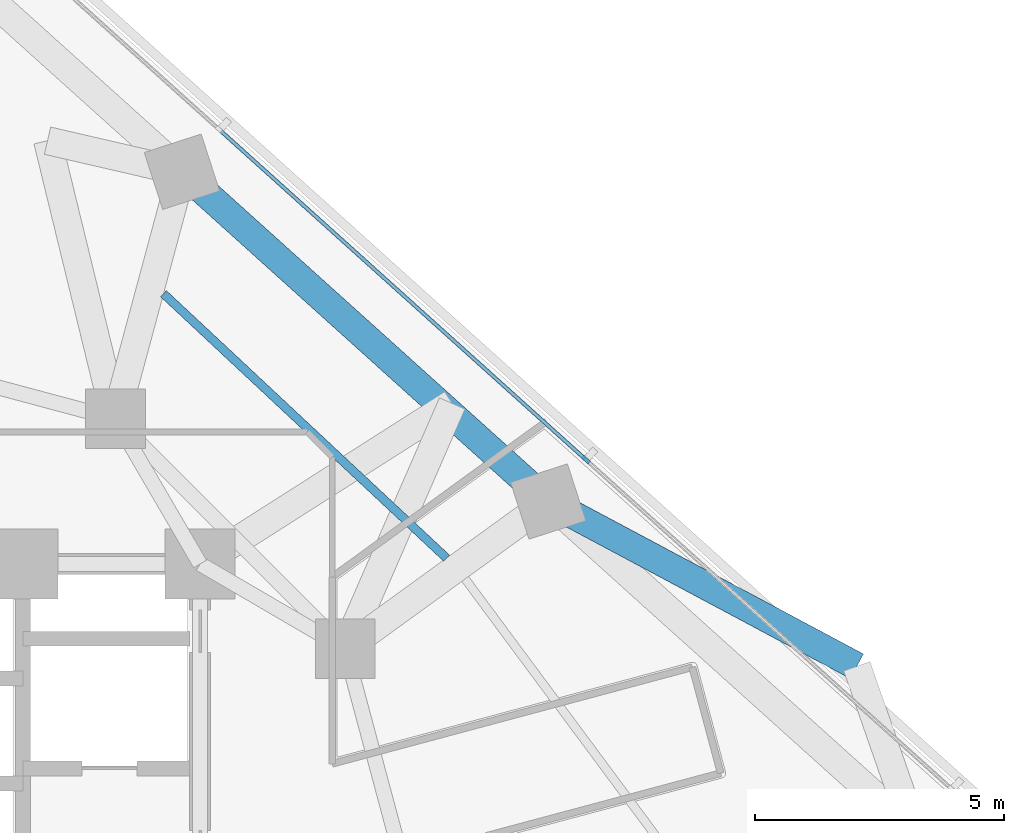
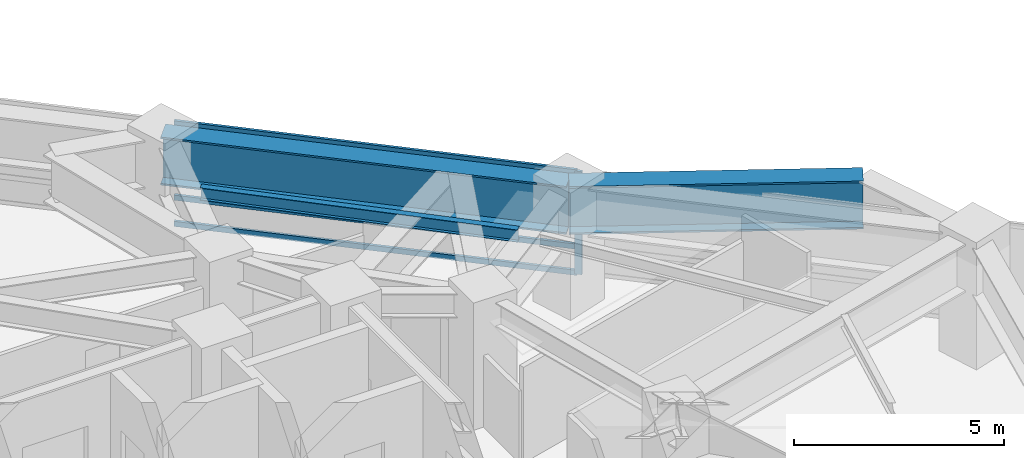
# One storey, part 6 of 14: 4 members, 3 beams, 1 element without a shape of its own.
"""IFC4 building model written with IfcOpenShell, lengths in metres."""

from ifc_helpers import new_model, si_unit, direction, frame, origin, origin_2d, place, context, subcontext, project, spatial, rectangle, i_section, extrude, material, layer, layer_set, material_profile, profile_set, type_object, element, aggregate, save


model = new_model("IFC4")

# Units and contexts
model_context = context("Model", 3, precision=1e-05, world=origin(), true_north=direction((0.0, 1.0)))
body_context = subcontext(model_context, "Body", "Model", "MODEL_VIEW")
ifc_project = project(units=[si_unit("LENGTHUNIT", "METRE"), si_unit("AREAUNIT", "SQUARE_METRE"), si_unit("VOLUMEUNIT", "CUBIC_METRE"), si_unit("PLANEANGLEUNIT", "RADIAN"), si_unit("MASSUNIT", "GRAM", prefix="KILO")], contexts=[model_context])

# Site, building, storey
site_placement = place(None, origin())
site = spatial("IfcSite", under=ifc_project, at=site_placement, CompositionType="ELEMENT")
building_placement = place(site_placement, origin())
building = spatial("IfcBuilding", under=site, at=building_placement, Name="Terralouvre Media Tower", CompositionType="ELEMENT")
storey_placement = place(building_placement, frame((0.0, 0.0, 116.199951171875)))
storey = spatial("IfcBuildingStorey", under=building, at=storey_placement, Name="L29", CompositionType="ELEMENT", Elevation=116.199951171875)

# Beam
ifc_material_1 = material(Name="Structural steel S355J2", Category="steel")
ifc_material_profile_1 = material_profile(ifc_material_1, i_section(OverallWidth=0.169921875, OverallDepth=0.360107421875, WebThickness=0.008056640625, FlangeThickness=0.0126953125, at=origin_2d()), Name="IPE 360")
ifc_profile_set_1 = profile_set([ifc_material_profile_1], Name="Structural steel S355J2")
beam_type_1 = type_object("IfcBeamType", Name="Composite Floor Joist J-IPE360 (IPE 360)", PredefinedType="JOIST", material=ifc_profile_set_1)
beam_1_placement = place(storey_placement, frame((12.944580078125, 8.1171875, 3.320068359375), z_axis=(-0.730742873433, 0.682652805551, 0.0), x_axis=(-0.682652805551, -0.730742873433, 0.0)))
element("IfcBeam", 1, at=beam_1_placement, inside=storey, type_object=beam_type_1, Name="L29 Framing Beam JT-L29-08", PredefinedType="JOIST", context=body_context, shape_type="SweptSolid", body=[
    extrude(i_section(OverallWidth=0.169921875, OverallDepth=0.360107421875, WebThickness=0.008056640625, FlangeThickness=0.0126953125, at=origin_2d()), origin(), (0.0, 0.0, 1.0), 7.7724609375),
])

# Curtain wall, members
ifc_material_2 = material(Name="Low-iron laminated double glazing with solar-control coating", Category="glass")
ifc_layer = layer(ifc_material_2, 0.1650390625, Name="Lower Media Tower Unitised Curtain Wall CW-02")
ifc_layer_set = layer_set([ifc_layer], Name="Low-iron laminated double glazing with solar-control coating")
curtain_wall_type = type_object("IfcCurtainWallType", Name="Lower Media Tower Unitised Curtain Wall CW-02", PredefinedType="NOTDEFINED", material=ifc_layer_set)
curtain_wall_placement = place(storey_placement, origin())
curtain_wall = element("IfcCurtainWall", 2, at=curtain_wall_placement, inside=storey, type_object=curtain_wall_type, Name="L29 Facade Curtain Wall F1", PredefinedType="NOTDEFINED")
ifc_material_3 = material(Name="Anodised extruded aluminium 6063-T6", Category="aluminium")
ifc_material_profile_2 = material_profile(ifc_material_3, rectangle(XDim=0.074951171875, YDim=0.14990234375, at=origin_2d()), Name="ALU 75x150")
ifc_profile_set_2 = profile_set([ifc_material_profile_2], Name="Anodised extruded aluminium 6063-T6")
member_type_1 = type_object("IfcMemberType", Name="Curtain-Wall Horizontal Transom TR-150", PredefinedType="USERDEFINED", material=ifc_profile_set_2)
member_1_placement = place(storey_placement, frame((15.712158203125, 10.117431640625, 0.03759765625), z_axis=(-0.743145676677, 0.669129661005, 0.0), x_axis=(-0.669129661005, -0.743145676677, 0.0)))
member_1 = element("IfcMember", 3, at=member_1_placement, type_object=member_type_1, Name="CW-02 transom 3.1", ObjectType="TRANSOM", PredefinedType="USERDEFINED", context=body_context, shape_type="SweptSolid", body=[
    extrude(rectangle(XDim=0.074951171875, YDim=0.14990234375, at=origin_2d()), origin(), (0.0, 0.0, 1.0), 9.81298828125),
])
member_2_placement = place(storey_placement, frame((15.712158203125, 10.117431640625, 0.800048828125), z_axis=(-0.743145676677, 0.669129661005, 0.0), x_axis=(-0.669129661005, -0.743145676677, 0.0)))
member_2 = element("IfcMember", 4, at=member_2_placement, type_object=member_type_1, Name="CW-02 transom 3.2", ObjectType="TRANSOM", PredefinedType="USERDEFINED", context=body_context, shape_type="SweptSolid", body=[
    extrude(rectangle(XDim=0.074951171875, YDim=0.14990234375, at=origin_2d()), origin(), (0.0, 0.0, 1.0), 9.81298828125),
])
member_3_placement = place(storey_placement, frame((15.712158203125, 10.117431640625, 2.962646484375), z_axis=(-0.743145676677, 0.669129661005, 0.0), x_axis=(-0.669129661005, -0.743145676677, 0.0)))
member_3 = element("IfcMember", 5, at=member_3_placement, type_object=member_type_1, Name="CW-02 transom 3.3", ObjectType="TRANSOM", PredefinedType="USERDEFINED", context=body_context, shape_type="SweptSolid", body=[
    extrude(rectangle(XDim=0.074951171875, YDim=0.14990234375, at=origin_2d()), origin(), (0.0, 0.0, 1.0), 9.81298828125),
])
ifc_material_4 = material(Name="Anodised extruded aluminium 6063-T6", Category="aluminium")
ifc_material_profile_3 = material_profile(ifc_material_4, rectangle(XDim=0.074951171875, YDim=0.179931640625, at=origin_2d()), Name="ALU 75x180")
ifc_profile_set_3 = profile_set([ifc_material_profile_3], Name="Anodised extruded aluminium 6063-T6")
member_type_2 = type_object("IfcMemberType", Name="Curtain-Wall Vertical Mullion ML-180", PredefinedType="MULLION", material=ifc_profile_set_3)
member_4_placement = place(storey_placement, frame((15.739990234375, 10.09228515625, 0.0), z_axis=(0.0, 0.0, 1.0), x_axis=(-0.669130639602, -0.743144795545, 0.0)))
member_4 = element("IfcMember", 6, at=member_4_placement, type_object=member_type_2, Name="CW-02 mullion 3", PredefinedType="MULLION", context=body_context, shape_type="SweptSolid", body=[
    extrude(rectangle(XDim=0.074951171875, YDim=0.179931640625, at=origin_2d()), origin(), (0.0, 0.0, 1.0), 3.0),
])
aggregate(curtain_wall, [member_4, member_1, member_2, member_3])

# Beams
ifc_material_5 = material(Name="Structural steel S460M", Category="steel")
ifc_material_profile_4 = material_profile(ifc_material_5, i_section(OverallWidth=0.56005859375, OverallDepth=1.39990234375, WebThickness=0.031982421875, FlangeThickness=0.050048828125, at=origin_2d()), Name="TG 1400x560")
ifc_profile_set_4 = profile_set([ifc_material_profile_4], Name="Structural steel S460M")
beam_type_2 = type_object("IfcBeamType", Name="Welded Transfer Girder TG-1400 (TG 1400x560)", PredefinedType="USERDEFINED", material=ifc_profile_set_4)
beam_2_placement = place(storey_placement, frame((14.98388671875, 9.25244140625, 2.800048828125), z_axis=(-0.743148033922, 0.669127043002, 0.0), x_axis=(-0.669127043002, -0.743148033922, 0.0)))
element("IfcBeam", 7, at=beam_2_placement, inside=storey, type_object=beam_type_2, Name="L29 Framing Beam BM-L29-PR08", ObjectType="TRANSFER GIRDER", PredefinedType="USERDEFINED", context=body_context, shape_type="SweptSolid", body=[
    extrude(i_section(OverallWidth=0.56005859375, OverallDepth=1.39990234375, WebThickness=0.031982421875, FlangeThickness=0.050048828125, at=origin_2d()), origin(), (0.0, 0.0, 1.0), 9.88818359375),
])
beam_3_placement = place(storey_placement, frame((21.176025390625, 5.9482421875, 2.800048828125), z_axis=(-0.882250852453, 0.470779601668, 0.0), x_axis=(-0.470779601668, -0.882250852453, 0.0)))
element("IfcBeam", 8, at=beam_3_placement, inside=storey, type_object=beam_type_2, Name="L29 Framing Beam BM-L29-TR05S2", ObjectType="TRANSFER GIRDER", PredefinedType="USERDEFINED", context=body_context, shape_type="SweptSolid", body=[
    extrude(i_section(OverallWidth=0.56005859375, OverallDepth=1.39990234375, WebThickness=0.031982421875, FlangeThickness=0.050048828125, at=origin_2d()), origin(), (0.0, 0.0, 1.0), 7.0185546875),
])

save(model, "model.ifc")
